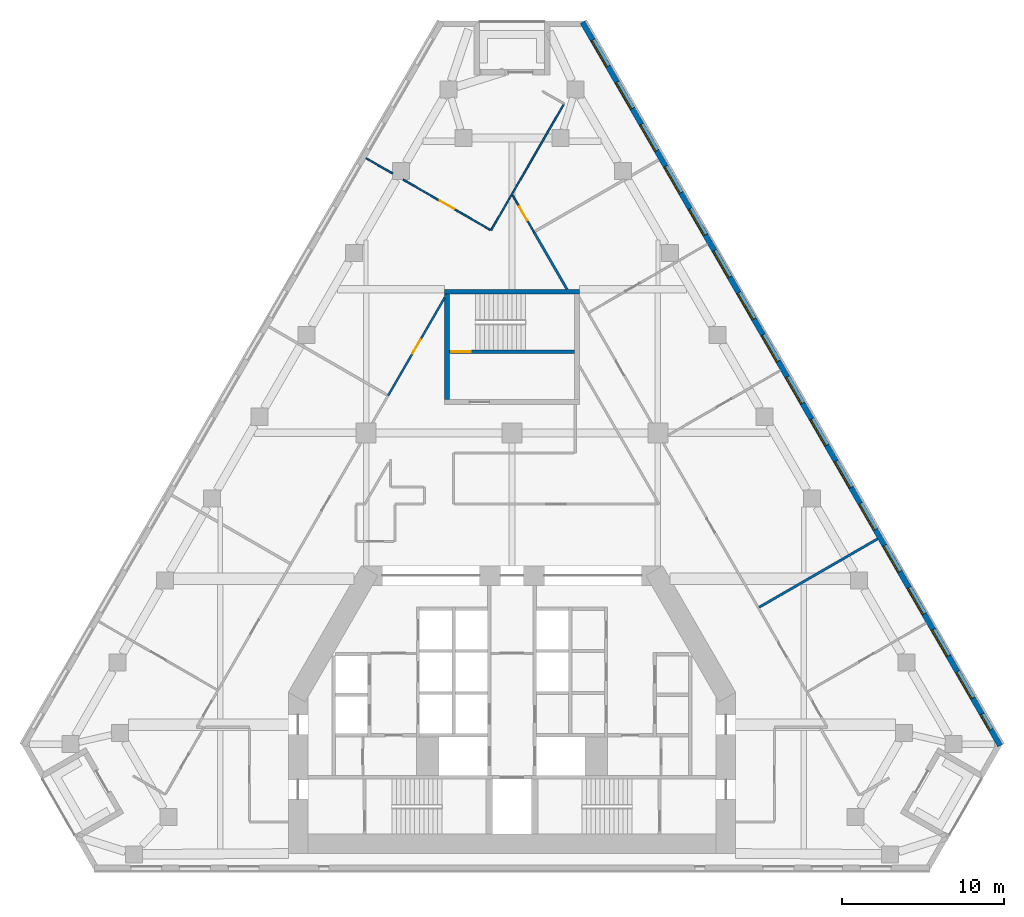
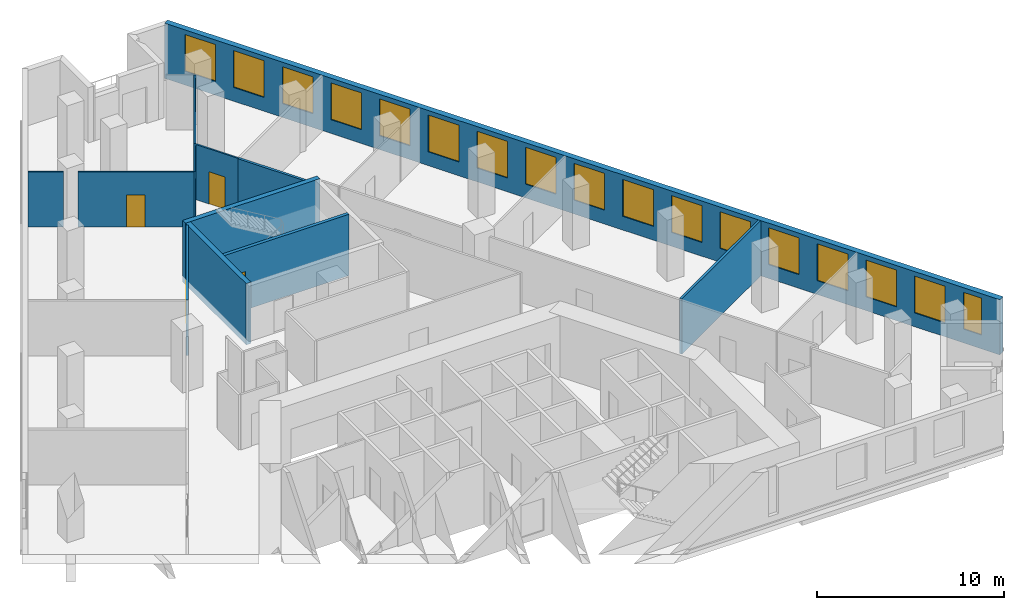
# One storey, part 8 of 10: 17 windows, 12 walls, 4 doors, 21 openings.
"""IFC4 building model written with IfcOpenShell, lengths in metres."""

from ifc_helpers import new_model, si_unit, direction, frame, frame_2d, origin, place, context, subcontext, project, spatial, rectangle, extrude, material, layer, layer_set, type_object, element, fill, save


model = new_model("IFC4")

# Units and contexts
model_context = context("Model", 3, precision=1e-05, world=origin(), true_north=direction((0.0, 1.0)))
body_context = subcontext(model_context, "Body", "Model", "MODEL_VIEW")
ifc_project = project(units=[si_unit("LENGTHUNIT", "METRE"), si_unit("AREAUNIT", "SQUARE_METRE"), si_unit("VOLUMEUNIT", "CUBIC_METRE"), si_unit("PLANEANGLEUNIT", "RADIAN"), si_unit("MASSUNIT", "GRAM", prefix="KILO")], contexts=[model_context])

# Site, building, storey
site_placement = place(None, origin())
site = spatial("IfcSite", under=ifc_project, at=site_placement, CompositionType="ELEMENT")
building_placement = place(site_placement, origin())
building = spatial("IfcBuilding", under=site, at=building_placement, Name="Fogline Exchange Tower", CompositionType="ELEMENT")
storey_placement = place(building_placement, frame((0.0, 0.0, 108.10009765625)))
storey = spatial("IfcBuildingStorey", under=building, at=storey_placement, Name="L23", CompositionType="ELEMENT", Elevation=108.10009765625)

# Wall, opening, door
ifc_material_1 = material(Name="Concrete C40", Category="concrete")
ifc_layer_1 = layer(ifc_material_1, 0.199951171875)
ifc_layer_set_1 = layer_set([ifc_layer_1], Name="CW20R")
wall_type_1 = type_object("IfcWallType", Name="CW20R", PredefinedType="SOLIDWALL", material=ifc_layer_set_1)
wall_1_placement = place(storey_placement, frame((-3.85009765625, 32.007080078125, -0.400146484375), z_axis=(0.0, 0.0, 1.0), x_axis=(1.0, 0.0, 0.0)))
wall_1 = element("IfcWall", 1, at=wall_1_placement, inside=storey, type_object=wall_type_1, Name="Stair enclosure wall ST3", PredefinedType="SOLIDWALL", context=body_context, shape_type="SweptSolid", body=[
    extrude(rectangle(XDim=7.7001953125, YDim=0.199951171875, at=frame_2d((3.85009765625, 0.0))), origin(), (0.0, 0.0, 1.0), 4.0),
])
opening_1_placement = place(wall_1_placement, frame((0.10009765625, 0.0, 0.39990234375)))
opening_1 = element("IfcOpeningElement", 2, at=opening_1_placement, cuts=wall_1, Name="Opening T07-C023", PredefinedType="OPENING", context=body_context, shape_type="SweptSolid", body=[
    extrude(rectangle(XDim=1.199951171875, YDim=2.10009765625, at=frame_2d((0.60009765625, 1.050048828125))), frame((0.0, 0.10986328125, 0.0), z_axis=(0.0, -1.0, 0.0), x_axis=(1.0, 0.0, 0.0)), (0.0, 0.0, 1.0), 0.219970703125),
])
ifc_material_2 = material(Name="Steel and timber fire door", Category="steel")
door_type_1 = type_object("IfcDoorType", Name="D-ST1", OperationType="SINGLE_SWING_LEFT", PredefinedType="DOOR", material=ifc_material_2)
door_1_placement = place(opening_1_placement, origin())
door_1 = element("IfcDoor", 3, at=door_1_placement, inside=storey, type_object=door_type_1, Name="Stair door ST3", OperationType="SINGLE_SWING_LEFT", OverallHeight=2.10009765625, OverallWidth=1.199951171875, PredefinedType="DOOR", context=body_context, shape_type="SweptSolid", body=[
    extrude(rectangle(XDim=1.199951171875, YDim=2.10009765625, at=frame_2d((0.60009765625, 1.050048828125))), frame((0.0, 0.02490234375, 0.0), z_axis=(0.0, -1.0, 0.0), x_axis=(1.0, 0.0, 0.0)), (0.0, 0.0, 1.0), 0.050048828125),
])
fill(opening_1, door_1)

# Walls
ifc_layer_2 = layer(ifc_material_1, 0.300048828125)
ifc_layer_set_2 = layer_set([ifc_layer_2], Name="CW30")
wall_type_2 = type_object("IfcWallType", Name="CW30", PredefinedType="SOLIDWALL", material=ifc_layer_set_2)
wall_2_placement = place(storey_placement, frame((-4.14990234375, 35.70703125, -0.400146484375), z_axis=(0.0, 0.0, 1.0), x_axis=(1.0, 0.0, 0.0)))
element("IfcWall", 4, at=wall_2_placement, inside=storey, type_object=wall_type_2, Name="Stair enclosure wall ST3", PredefinedType="SOLIDWALL", context=body_context, shape_type="SweptSolid", body=[
    extrude(rectangle(XDim=8.2998046875, YDim=0.300048828125, at=frame_2d((4.14990234375, 0.0))), origin(), (0.0, 0.0, 1.0), 4.0),
])
wall_3_placement = place(storey_placement, frame((-4.0, 29.056884765625, -0.400146484375), z_axis=(0.0, 0.0, 1.0), x_axis=(0.0, 1.0, 0.0)))
element("IfcWall", 5, at=wall_3_placement, inside=storey, type_object=wall_type_2, Name="Stair enclosure wall ST3", PredefinedType="SOLIDWALL", context=body_context, shape_type="SweptSolid", body=[
    extrude(rectangle(XDim=6.5, YDim=0.300048828125, at=frame_2d((3.25, 0.0))), origin(), (0.0, 0.0, 1.0), 4.0),
])

# Wall, openings, windows
ifc_material_3 = material(Name="Brick masonry", Category="masonry")
ifc_layer_3 = layer(ifc_material_3, 0.340087890625)
ifc_layer_set_3 = layer_set([ifc_layer_3], Name="FW1")
wall_type_3 = type_object("IfcWallType", Name="FW1", PredefinedType="SOLIDWALL", material=ifc_layer_set_3)
wall_4_placement = place(storey_placement, frame((30.118408203125, 7.709228515625, 0.0), z_axis=(0.0, 0.0, 1.0), x_axis=(-0.49999941333, 0.866025742498, 0.0)))
wall_4 = element("IfcWall", 6, at=wall_4_placement, inside=storey, type_object=wall_type_3, Name="Brick wall L23 E", PredefinedType="SOLIDWALL", context=body_context, shape_type="SweptSolid", body=[
    extrude(rectangle(XDim=51.53125, YDim=0.340087890625, at=frame_2d((25.765625, 0.0))), origin(), (0.0, 0.0, 1.0), 3.599853515625),
])
opening_2_placement = place(wall_4_placement, frame((3.3828125, 0.0, 0.89990234375)))
opening_2 = element("IfcOpeningElement", 7, at=opening_2_placement, cuts=wall_4, Name="Opening W1", PredefinedType="OPENING", context=body_context, shape_type="SweptSolid", body=[
    extrude(rectangle(XDim=1.885009765625, YDim=2.39990234375, at=frame_2d((0.9423828125, 1.199951171875))), frame((0.0, 0.18017578125, 0.0), z_axis=(0.0, -1.0, 0.0), x_axis=(1.0, 0.0, 0.0)), (0.0, 0.0, 1.0), 0.360107421875),
])
opening_3_placement = place(wall_4_placement, frame((6.3828125, 0.0, 0.89990234375)))
opening_3 = element("IfcOpeningElement", 8, at=opening_3_placement, cuts=wall_4, Name="Opening W1", PredefinedType="OPENING", context=body_context, shape_type="SweptSolid", body=[
    extrude(rectangle(XDim=1.885009765625, YDim=2.39990234375, at=frame_2d((0.9423828125, 1.199951171875))), frame((0.0, 0.18017578125, 0.0), z_axis=(0.0, -1.0, 0.0), x_axis=(1.0, 0.0, 0.0)), (0.0, 0.0, 1.0), 0.360107421875),
])
opening_4_placement = place(wall_4_placement, frame((9.3828125, 0.0, 0.89990234375)))
opening_4 = element("IfcOpeningElement", 9, at=opening_4_placement, cuts=wall_4, Name="Opening W1", PredefinedType="OPENING", context=body_context, shape_type="SweptSolid", body=[
    extrude(rectangle(XDim=1.885009765625, YDim=2.39990234375, at=frame_2d((0.9423828125, 1.199951171875))), frame((0.0, 0.18017578125, 0.0), z_axis=(0.0, -1.0, 0.0), x_axis=(1.0, 0.0, 0.0)), (0.0, 0.0, 1.0), 0.360107421875),
])
opening_5_placement = place(wall_4_placement, frame((12.3828125, 0.0, 0.89990234375)))
opening_5 = element("IfcOpeningElement", 10, at=opening_5_placement, cuts=wall_4, Name="Opening W1", PredefinedType="OPENING", context=body_context, shape_type="SweptSolid", body=[
    extrude(rectangle(XDim=1.885009765625, YDim=2.39990234375, at=frame_2d((0.9423828125, 1.199951171875))), frame((0.0, 0.18017578125, 0.0), z_axis=(0.0, -1.0, 0.0), x_axis=(1.0, 0.0, 0.0)), (0.0, 0.0, 1.0), 0.360107421875),
])
opening_6_placement = place(wall_4_placement, frame((15.3828125, 0.0, 0.89990234375)))
opening_6 = element("IfcOpeningElement", 11, at=opening_6_placement, cuts=wall_4, Name="Opening W1", PredefinedType="OPENING", context=body_context, shape_type="SweptSolid", body=[
    extrude(rectangle(XDim=1.885009765625, YDim=2.39990234375, at=frame_2d((0.9423828125, 1.199951171875))), frame((0.0, 0.18017578125, 0.0), z_axis=(0.0, -1.0, 0.0), x_axis=(1.0, 0.0, 0.0)), (0.0, 0.0, 1.0), 0.360107421875),
])
opening_7_placement = place(wall_4_placement, frame((18.3828125, 0.0, 0.89990234375)))
opening_7 = element("IfcOpeningElement", 12, at=opening_7_placement, cuts=wall_4, Name="Opening W1", PredefinedType="OPENING", context=body_context, shape_type="SweptSolid", body=[
    extrude(rectangle(XDim=1.885009765625, YDim=2.39990234375, at=frame_2d((0.9423828125, 1.199951171875))), frame((0.0, 0.18017578125, 0.0), z_axis=(0.0, -1.0, 0.0), x_axis=(1.0, 0.0, 0.0)), (0.0, 0.0, 1.0), 0.360107421875),
])
opening_8_placement = place(wall_4_placement, frame((21.3828125, 0.0, 0.89990234375)))
opening_8 = element("IfcOpeningElement", 13, at=opening_8_placement, cuts=wall_4, Name="Opening W1", PredefinedType="OPENING", context=body_context, shape_type="SweptSolid", body=[
    extrude(rectangle(XDim=1.885009765625, YDim=2.39990234375, at=frame_2d((0.9423828125, 1.199951171875))), frame((0.0, 0.18017578125, 0.0), z_axis=(0.0, -1.0, 0.0), x_axis=(1.0, 0.0, 0.0)), (0.0, 0.0, 1.0), 0.360107421875),
])
opening_9_placement = place(wall_4_placement, frame((24.3828125, 0.0, 0.89990234375)))
opening_9 = element("IfcOpeningElement", 14, at=opening_9_placement, cuts=wall_4, Name="Opening W1", PredefinedType="OPENING", context=body_context, shape_type="SweptSolid", body=[
    extrude(rectangle(XDim=1.885009765625, YDim=2.39990234375, at=frame_2d((0.9423828125, 1.199951171875))), frame((0.0, 0.18017578125, 0.0), z_axis=(0.0, -1.0, 0.0), x_axis=(1.0, 0.0, 0.0)), (0.0, 0.0, 1.0), 0.360107421875),
])
opening_10_placement = place(wall_4_placement, frame((27.3828125, 0.0, 0.89990234375)))
opening_10 = element("IfcOpeningElement", 15, at=opening_10_placement, cuts=wall_4, Name="Opening W1", PredefinedType="OPENING", context=body_context, shape_type="SweptSolid", body=[
    extrude(rectangle(XDim=1.885009765625, YDim=2.39990234375, at=frame_2d((0.9423828125, 1.199951171875))), frame((0.0, 0.18017578125, 0.0), z_axis=(0.0, -1.0, 0.0), x_axis=(1.0, 0.0, 0.0)), (0.0, 0.0, 1.0), 0.360107421875),
])
opening_11_placement = place(wall_4_placement, frame((30.3828125, 0.0, 0.89990234375)))
opening_11 = element("IfcOpeningElement", 16, at=opening_11_placement, cuts=wall_4, Name="Opening W1", PredefinedType="OPENING", context=body_context, shape_type="SweptSolid", body=[
    extrude(rectangle(XDim=1.885009765625, YDim=2.39990234375, at=frame_2d((0.9423828125, 1.199951171875))), frame((0.0, 0.18017578125, 0.0), z_axis=(0.0, -1.0, 0.0), x_axis=(1.0, 0.0, 0.0)), (0.0, 0.0, 1.0), 0.360107421875),
])
opening_12_placement = place(wall_4_placement, frame((33.3828125, 0.0, 0.89990234375)))
opening_12 = element("IfcOpeningElement", 17, at=opening_12_placement, cuts=wall_4, Name="Opening W1", PredefinedType="OPENING", context=body_context, shape_type="SweptSolid", body=[
    extrude(rectangle(XDim=1.885009765625, YDim=2.39990234375, at=frame_2d((0.9423828125, 1.199951171875))), frame((0.0, 0.18017578125, 0.0), z_axis=(0.0, -1.0, 0.0), x_axis=(1.0, 0.0, 0.0)), (0.0, 0.0, 1.0), 0.360107421875),
])
opening_13_placement = place(wall_4_placement, frame((36.3828125, 0.0, 0.89990234375)))
opening_13 = element("IfcOpeningElement", 18, at=opening_13_placement, cuts=wall_4, Name="Opening W1", PredefinedType="OPENING", context=body_context, shape_type="SweptSolid", body=[
    extrude(rectangle(XDim=1.885009765625, YDim=2.39990234375, at=frame_2d((0.9423828125, 1.199951171875))), frame((0.0, 0.18017578125, 0.0), z_axis=(0.0, -1.0, 0.0), x_axis=(1.0, 0.0, 0.0)), (0.0, 0.0, 1.0), 0.360107421875),
])
opening_14_placement = place(wall_4_placement, frame((39.3828125, 0.0, 0.89990234375)))
opening_14 = element("IfcOpeningElement", 19, at=opening_14_placement, cuts=wall_4, Name="Opening W1", PredefinedType="OPENING", context=body_context, shape_type="SweptSolid", body=[
    extrude(rectangle(XDim=1.885009765625, YDim=2.39990234375, at=frame_2d((0.9423828125, 1.199951171875))), frame((0.0, 0.18017578125, 0.0), z_axis=(0.0, -1.0, 0.0), x_axis=(1.0, 0.0, 0.0)), (0.0, 0.0, 1.0), 0.360107421875),
])
opening_15_placement = place(wall_4_placement, frame((42.3828125, 0.0, 0.89990234375)))
opening_15 = element("IfcOpeningElement", 20, at=opening_15_placement, cuts=wall_4, Name="Opening W1", PredefinedType="OPENING", context=body_context, shape_type="SweptSolid", body=[
    extrude(rectangle(XDim=1.885009765625, YDim=2.39990234375, at=frame_2d((0.9423828125, 1.199951171875))), frame((0.0, 0.18017578125, 0.0), z_axis=(0.0, -1.0, 0.0), x_axis=(1.0, 0.0, 0.0)), (0.0, 0.0, 1.0), 0.360107421875),
])
opening_16_placement = place(wall_4_placement, frame((45.3828125, 0.0, 0.89990234375)))
opening_16 = element("IfcOpeningElement", 21, at=opening_16_placement, cuts=wall_4, Name="Opening W1", PredefinedType="OPENING", context=body_context, shape_type="SweptSolid", body=[
    extrude(rectangle(XDim=1.885009765625, YDim=2.39990234375, at=frame_2d((0.9423828125, 1.199951171875))), frame((0.0, 0.18017578125, 0.0), z_axis=(0.0, -1.0, 0.0), x_axis=(1.0, 0.0, 0.0)), (0.0, 0.0, 1.0), 0.360107421875),
])
opening_17_placement = place(wall_4_placement, frame((48.3828125, 0.0, 0.89990234375)))
opening_17 = element("IfcOpeningElement", 22, at=opening_17_placement, cuts=wall_4, Name="Opening W1", PredefinedType="OPENING", context=body_context, shape_type="SweptSolid", body=[
    extrude(rectangle(XDim=1.885009765625, YDim=2.39990234375, at=frame_2d((0.9423828125, 1.199951171875))), frame((0.0, 0.18017578125, 0.0), z_axis=(0.0, -1.0, 0.0), x_axis=(1.0, 0.0, 0.0)), (0.0, 0.0, 1.0), 0.360107421875),
])
opening_18_placement = place(wall_4_placement, frame((1.1337890625, 0.0, 0.89990234375)))
opening_18 = element("IfcOpeningElement", 23, at=opening_18_placement, cuts=wall_4, Name="Opening W4", PredefinedType="OPENING", context=body_context, shape_type="SweptSolid", body=[
    extrude(rectangle(XDim=1.114990234375, YDim=2.39990234375, at=frame_2d((0.5576171875, 1.199951171875))), frame((0.0, 0.18017578125, 0.0), z_axis=(0.0, -1.0, 0.0), x_axis=(1.0, 0.0, 0.0)), (0.0, 0.0, 1.0), 0.360107421875),
])
ifc_material_4 = material(Name="Aluminium and glass", Category="aluminium")
window_type_1 = type_object("IfcWindowType", Name="W1", PartitioningType="SINGLE_PANEL", PredefinedType="WINDOW", material=ifc_material_4)
window_1_placement = place(opening_2_placement, origin())
window_1 = element("IfcWindow", 24, at=window_1_placement, inside=storey, type_object=window_type_1, Name="W1 W1", OverallHeight=2.39990234375, OverallWidth=1.885009765625, PartitioningType="SINGLE_PANEL", PredefinedType="WINDOW", context=body_context, shape_type="SweptSolid", body=[
    extrude(rectangle(XDim=1.885009765625, YDim=2.39990234375, at=frame_2d((0.9423828125, 1.199951171875))), frame((0.0, 0.110107421875, 0.0), z_axis=(0.0, -1.0, 0.0), x_axis=(1.0, 0.0, 0.0)), (0.0, 0.0, 1.0), 0.06005859375),
])
fill(opening_2, window_1)
window_2_placement = place(opening_3_placement, origin())
window_2 = element("IfcWindow", 25, at=window_2_placement, inside=storey, type_object=window_type_1, Name="W1 W1", OverallHeight=2.39990234375, OverallWidth=1.885009765625, PartitioningType="SINGLE_PANEL", PredefinedType="WINDOW", context=body_context, shape_type="SweptSolid", body=[
    extrude(rectangle(XDim=1.885009765625, YDim=2.39990234375, at=frame_2d((0.9423828125, 1.199951171875))), frame((0.0, 0.110107421875, 0.0), z_axis=(0.0, -1.0, 0.0), x_axis=(1.0, 0.0, 0.0)), (0.0, 0.0, 1.0), 0.06005859375),
])
fill(opening_3, window_2)
window_3_placement = place(opening_4_placement, origin())
window_3 = element("IfcWindow", 26, at=window_3_placement, inside=storey, type_object=window_type_1, Name="W1 W1", OverallHeight=2.39990234375, OverallWidth=1.885009765625, PartitioningType="SINGLE_PANEL", PredefinedType="WINDOW", context=body_context, shape_type="SweptSolid", body=[
    extrude(rectangle(XDim=1.885009765625, YDim=2.39990234375, at=frame_2d((0.9423828125, 1.199951171875))), frame((0.0, 0.110107421875, 0.0), z_axis=(0.0, -1.0, 0.0), x_axis=(1.0, 0.0, 0.0)), (0.0, 0.0, 1.0), 0.06005859375),
])
fill(opening_4, window_3)
window_4_placement = place(opening_5_placement, origin())
window_4 = element("IfcWindow", 27, at=window_4_placement, inside=storey, type_object=window_type_1, Name="W1 W1", OverallHeight=2.39990234375, OverallWidth=1.885009765625, PartitioningType="SINGLE_PANEL", PredefinedType="WINDOW", context=body_context, shape_type="SweptSolid", body=[
    extrude(rectangle(XDim=1.885009765625, YDim=2.39990234375, at=frame_2d((0.9423828125, 1.199951171875))), frame((0.0, 0.110107421875, 0.0), z_axis=(0.0, -1.0, 0.0), x_axis=(1.0, 0.0, 0.0)), (0.0, 0.0, 1.0), 0.06005859375),
])
fill(opening_5, window_4)
window_5_placement = place(opening_6_placement, origin())
window_5 = element("IfcWindow", 28, at=window_5_placement, inside=storey, type_object=window_type_1, Name="W1 W1", OverallHeight=2.39990234375, OverallWidth=1.885009765625, PartitioningType="SINGLE_PANEL", PredefinedType="WINDOW", context=body_context, shape_type="SweptSolid", body=[
    extrude(rectangle(XDim=1.885009765625, YDim=2.39990234375, at=frame_2d((0.9423828125, 1.199951171875))), frame((0.0, 0.110107421875, 0.0), z_axis=(0.0, -1.0, 0.0), x_axis=(1.0, 0.0, 0.0)), (0.0, 0.0, 1.0), 0.06005859375),
])
fill(opening_6, window_5)
window_6_placement = place(opening_7_placement, origin())
window_6 = element("IfcWindow", 29, at=window_6_placement, inside=storey, type_object=window_type_1, Name="W1 W1", OverallHeight=2.39990234375, OverallWidth=1.885009765625, PartitioningType="SINGLE_PANEL", PredefinedType="WINDOW", context=body_context, shape_type="SweptSolid", body=[
    extrude(rectangle(XDim=1.885009765625, YDim=2.39990234375, at=frame_2d((0.9423828125, 1.199951171875))), frame((0.0, 0.110107421875, 0.0), z_axis=(0.0, -1.0, 0.0), x_axis=(1.0, 0.0, 0.0)), (0.0, 0.0, 1.0), 0.06005859375),
])
fill(opening_7, window_6)
window_7_placement = place(opening_8_placement, origin())
window_7 = element("IfcWindow", 30, at=window_7_placement, inside=storey, type_object=window_type_1, Name="W1 W1", OverallHeight=2.39990234375, OverallWidth=1.885009765625, PartitioningType="SINGLE_PANEL", PredefinedType="WINDOW", context=body_context, shape_type="SweptSolid", body=[
    extrude(rectangle(XDim=1.885009765625, YDim=2.39990234375, at=frame_2d((0.9423828125, 1.199951171875))), frame((0.0, 0.110107421875, 0.0), z_axis=(0.0, -1.0, 0.0), x_axis=(1.0, 0.0, 0.0)), (0.0, 0.0, 1.0), 0.06005859375),
])
fill(opening_8, window_7)
window_8_placement = place(opening_9_placement, origin())
window_8 = element("IfcWindow", 31, at=window_8_placement, inside=storey, type_object=window_type_1, Name="W1 W1", OverallHeight=2.39990234375, OverallWidth=1.885009765625, PartitioningType="SINGLE_PANEL", PredefinedType="WINDOW", context=body_context, shape_type="SweptSolid", body=[
    extrude(rectangle(XDim=1.885009765625, YDim=2.39990234375, at=frame_2d((0.9423828125, 1.199951171875))), frame((0.0, 0.110107421875, 0.0), z_axis=(0.0, -1.0, 0.0), x_axis=(1.0, 0.0, 0.0)), (0.0, 0.0, 1.0), 0.06005859375),
])
fill(opening_9, window_8)
window_9_placement = place(opening_10_placement, origin())
window_9 = element("IfcWindow", 32, at=window_9_placement, inside=storey, type_object=window_type_1, Name="W1 W1", OverallHeight=2.39990234375, OverallWidth=1.885009765625, PartitioningType="SINGLE_PANEL", PredefinedType="WINDOW", context=body_context, shape_type="SweptSolid", body=[
    extrude(rectangle(XDim=1.885009765625, YDim=2.39990234375, at=frame_2d((0.9423828125, 1.199951171875))), frame((0.0, 0.110107421875, 0.0), z_axis=(0.0, -1.0, 0.0), x_axis=(1.0, 0.0, 0.0)), (0.0, 0.0, 1.0), 0.06005859375),
])
fill(opening_10, window_9)
window_10_placement = place(opening_11_placement, origin())
window_10 = element("IfcWindow", 33, at=window_10_placement, inside=storey, type_object=window_type_1, Name="W1 W1", OverallHeight=2.39990234375, OverallWidth=1.885009765625, PartitioningType="SINGLE_PANEL", PredefinedType="WINDOW", context=body_context, shape_type="SweptSolid", body=[
    extrude(rectangle(XDim=1.885009765625, YDim=2.39990234375, at=frame_2d((0.9423828125, 1.199951171875))), frame((0.0, 0.110107421875, 0.0), z_axis=(0.0, -1.0, 0.0), x_axis=(1.0, 0.0, 0.0)), (0.0, 0.0, 1.0), 0.06005859375),
])
fill(opening_11, window_10)
window_11_placement = place(opening_12_placement, origin())
window_11 = element("IfcWindow", 34, at=window_11_placement, inside=storey, type_object=window_type_1, Name="W1 W1", OverallHeight=2.39990234375, OverallWidth=1.885009765625, PartitioningType="SINGLE_PANEL", PredefinedType="WINDOW", context=body_context, shape_type="SweptSolid", body=[
    extrude(rectangle(XDim=1.885009765625, YDim=2.39990234375, at=frame_2d((0.9423828125, 1.199951171875))), frame((0.0, 0.110107421875, 0.0), z_axis=(0.0, -1.0, 0.0), x_axis=(1.0, 0.0, 0.0)), (0.0, 0.0, 1.0), 0.06005859375),
])
fill(opening_12, window_11)
window_12_placement = place(opening_13_placement, origin())
window_12 = element("IfcWindow", 35, at=window_12_placement, inside=storey, type_object=window_type_1, Name="W1 W1", OverallHeight=2.39990234375, OverallWidth=1.885009765625, PartitioningType="SINGLE_PANEL", PredefinedType="WINDOW", context=body_context, shape_type="SweptSolid", body=[
    extrude(rectangle(XDim=1.885009765625, YDim=2.39990234375, at=frame_2d((0.9423828125, 1.199951171875))), frame((0.0, 0.110107421875, 0.0), z_axis=(0.0, -1.0, 0.0), x_axis=(1.0, 0.0, 0.0)), (0.0, 0.0, 1.0), 0.06005859375),
])
fill(opening_13, window_12)
window_13_placement = place(opening_14_placement, origin())
window_13 = element("IfcWindow", 36, at=window_13_placement, inside=storey, type_object=window_type_1, Name="W1 W1", OverallHeight=2.39990234375, OverallWidth=1.885009765625, PartitioningType="SINGLE_PANEL", PredefinedType="WINDOW", context=body_context, shape_type="SweptSolid", body=[
    extrude(rectangle(XDim=1.885009765625, YDim=2.39990234375, at=frame_2d((0.9423828125, 1.199951171875))), frame((0.0, 0.110107421875, 0.0), z_axis=(0.0, -1.0, 0.0), x_axis=(1.0, 0.0, 0.0)), (0.0, 0.0, 1.0), 0.06005859375),
])
fill(opening_14, window_13)
window_14_placement = place(opening_15_placement, origin())
window_14 = element("IfcWindow", 37, at=window_14_placement, inside=storey, type_object=window_type_1, Name="W1 W1", OverallHeight=2.39990234375, OverallWidth=1.885009765625, PartitioningType="SINGLE_PANEL", PredefinedType="WINDOW", context=body_context, shape_type="SweptSolid", body=[
    extrude(rectangle(XDim=1.885009765625, YDim=2.39990234375, at=frame_2d((0.9423828125, 1.199951171875))), frame((0.0, 0.110107421875, 0.0), z_axis=(0.0, -1.0, 0.0), x_axis=(1.0, 0.0, 0.0)), (0.0, 0.0, 1.0), 0.06005859375),
])
fill(opening_15, window_14)
window_15_placement = place(opening_16_placement, origin())
window_15 = element("IfcWindow", 38, at=window_15_placement, inside=storey, type_object=window_type_1, Name="W1 W1", OverallHeight=2.39990234375, OverallWidth=1.885009765625, PartitioningType="SINGLE_PANEL", PredefinedType="WINDOW", context=body_context, shape_type="SweptSolid", body=[
    extrude(rectangle(XDim=1.885009765625, YDim=2.39990234375, at=frame_2d((0.9423828125, 1.199951171875))), frame((0.0, 0.110107421875, 0.0), z_axis=(0.0, -1.0, 0.0), x_axis=(1.0, 0.0, 0.0)), (0.0, 0.0, 1.0), 0.06005859375),
])
fill(opening_16, window_15)
window_16_placement = place(opening_17_placement, origin())
window_16 = element("IfcWindow", 39, at=window_16_placement, inside=storey, type_object=window_type_1, Name="W1 W1", OverallHeight=2.39990234375, OverallWidth=1.885009765625, PartitioningType="SINGLE_PANEL", PredefinedType="WINDOW", context=body_context, shape_type="SweptSolid", body=[
    extrude(rectangle(XDim=1.885009765625, YDim=2.39990234375, at=frame_2d((0.9423828125, 1.199951171875))), frame((0.0, 0.110107421875, 0.0), z_axis=(0.0, -1.0, 0.0), x_axis=(1.0, 0.0, 0.0)), (0.0, 0.0, 1.0), 0.06005859375),
])
fill(opening_17, window_16)
window_type_2 = type_object("IfcWindowType", Name="W4", PartitioningType="SINGLE_PANEL", PredefinedType="WINDOW", material=ifc_material_4)
window_17_placement = place(opening_18_placement, origin())
window_17 = element("IfcWindow", 40, at=window_17_placement, inside=storey, type_object=window_type_2, Name="W4 W4", OverallHeight=2.39990234375, OverallWidth=1.114990234375, PartitioningType="SINGLE_PANEL", PredefinedType="WINDOW", context=body_context, shape_type="SweptSolid", body=[
    extrude(rectangle(XDim=1.114990234375, YDim=2.39990234375, at=frame_2d((0.5576171875, 1.199951171875))), frame((0.0, 0.110107421875, 0.0), z_axis=(0.0, -1.0, 0.0), x_axis=(1.0, 0.0, 0.0)), (0.0, 0.0, 1.0), 0.06005859375),
])
fill(opening_18, window_17)

# Wall
ifc_material_5 = material(Name="Plasterboard partition, 2 layers each side on steel studs", Category="steel")
ifc_layer_4 = layer(ifc_material_5, 0.10009765625)
ifc_layer_set_4 = layer_set([ifc_layer_4], Name="PW1")
wall_type_4 = type_object("IfcWallType", Name="PW1", PredefinedType="PARTITIONING", material=ifc_layer_set_4)
wall_5_placement = place(storey_placement, frame((0.0, 41.73583984375, 0.0), z_axis=(0.0, 0.0, 1.0), x_axis=(0.499999599858, 0.866025634807, 0.0)))
element("IfcWall", 41, at=wall_5_placement, inside=storey, type_object=wall_type_4, Name="wall-L23-W040", PredefinedType="PARTITIONING", context=body_context, shape_type="SweptSolid", body=[
    extrude(rectangle(XDim=6.3798828125, YDim=0.10009765625, at=frame_2d((3.18994140625, 0.0))), origin(), (0.0, 0.0, 1.0), 3.599853515625),
])

# Wall, opening, door
wall_6_placement = place(storey_placement, frame((1.350830078125, 39.39599609375, 0.0), z_axis=(0.0, 0.0, 1.0), x_axis=(-0.500005339912, 0.866022320763, 0.0)))
wall_6 = element("IfcWall", 42, at=wall_6_placement, inside=storey, type_object=wall_type_4, Name="wall-L23-W042", PredefinedType="PARTITIONING", context=body_context, shape_type="SweptSolid", body=[
    extrude(rectangle(XDim=2.61474609375, YDim=0.10009765625, at=frame_2d((1.307373046875, 0.0))), origin(), (0.0, 0.0, 1.0), 3.599853515625),
])
opening_19_placement = place(wall_6_placement, frame((0.807373046875, 0.0, 0.0)))
opening_19 = element("IfcOpeningElement", 43, at=opening_19_placement, cuts=wall_6, Name="Opening T07-D015", PredefinedType="OPENING", context=body_context, shape_type="SweptSolid", body=[
    extrude(rectangle(XDim=1.0, YDim=2.10009765625, at=frame_2d((0.5, 1.050048828125))), frame((0.0, 0.06005859375, 0.0), z_axis=(0.0, -1.0, 0.0), x_axis=(1.0, 0.0, 0.0)), (0.0, 0.0, 1.0), 0.1201171875),
])
ifc_material_6 = material(Name="Timber door leaf with steel frame", Category="steel")
door_type_2 = type_object("IfcDoorType", Name="D1", OperationType="SINGLE_SWING_LEFT", PredefinedType="DOOR", material=ifc_material_6)
door_2_placement = place(opening_19_placement, frame((1.0, 0.0, 0.0), z_axis=(0.0, 0.0, 1.0), x_axis=(-1.0, 0.0, 0.0)))
door_2 = element("IfcDoor", 44, at=door_2_placement, inside=storey, type_object=door_type_2, Name="door-L23-D015", OperationType="SINGLE_SWING_LEFT", OverallHeight=2.10009765625, OverallWidth=1.0, PredefinedType="DOOR", context=body_context, shape_type="SweptSolid", body=[
    extrude(rectangle(XDim=1.0, YDim=2.10009765625, at=frame_2d((0.5, 1.050048828125))), frame((0.0, 0.02490234375, 0.0), z_axis=(0.0, -1.0, 0.0), x_axis=(1.0, 0.0, 0.0)), (0.0, 0.0, 1.0), 0.050048828125),
])
fill(opening_19, door_2)

# Wall
wall_7_placement = place(storey_placement, frame((0.0, 41.73583984375, 0.0), z_axis=(0.0, 0.0, 1.0), x_axis=(-0.50001655835, -0.866015843605, 0.0)))
element("IfcWall", 45, at=wall_7_placement, inside=storey, type_object=wall_type_4, Name="wall-L23-W043", PredefinedType="PARTITIONING", context=body_context, shape_type="SweptSolid", body=[
    extrude(rectangle(XDim=2.5869140625, YDim=0.10009765625, at=frame_2d((1.29345703125, 0.0))), origin(), (0.0, 0.0, 1.0), 3.599853515625),
])

# Wall, opening, door
wall_8_placement = place(storey_placement, frame((-1.336669921875, 39.5205078125, 0.0), z_axis=(0.0, 0.0, 1.0), x_axis=(-0.866017753424, 0.500013250579, 0.0)))
wall_8 = element("IfcWall", 46, at=wall_8_placement, inside=storey, type_object=wall_type_4, Name="wall-L23-W044", PredefinedType="PARTITIONING", context=body_context, shape_type="SweptSolid", body=[
    extrude(rectangle(XDim=6.201416015625, YDim=0.10009765625, at=frame_2d((3.1005859375, 0.0))), origin(), (0.0, 0.0, 1.0), 3.599853515625),
])
opening_20_placement = place(wall_8_placement, frame((2.6005859375, 0.0, 0.0)))
opening_20 = element("IfcOpeningElement", 47, at=opening_20_placement, cuts=wall_8, Name="Opening T07-D016", PredefinedType="OPENING", context=body_context, shape_type="SweptSolid", body=[
    extrude(rectangle(XDim=1.0, YDim=2.10009765625, at=frame_2d((0.5, 1.050048828125))), frame((0.0, 0.06005859375, 0.0), z_axis=(0.0, -1.0, 0.0), x_axis=(1.0, 0.0, 0.0)), (0.0, 0.0, 1.0), 0.1201171875),
])
door_3_placement = place(opening_20_placement, frame((1.0, 0.0, 0.0), z_axis=(0.0, 0.0, 1.0), x_axis=(-1.0, 0.0, 0.0)))
door_3 = element("IfcDoor", 48, at=door_3_placement, inside=storey, type_object=door_type_2, Name="door-L23-D016", OperationType="SINGLE_SWING_RIGHT", OverallHeight=2.10009765625, OverallWidth=1.0, PredefinedType="DOOR", context=body_context, shape_type="SweptSolid", body=[
    extrude(rectangle(XDim=1.0, YDim=2.10009765625, at=frame_2d((0.5, 1.050048828125))), frame((0.0, 0.02490234375, 0.0), z_axis=(0.0, -1.0, 0.0), x_axis=(1.0, 0.0, 0.0)), (0.0, 0.0, 1.0), 0.050048828125),
])
fill(opening_20, door_3)

# Wall
wall_9_placement = place(storey_placement, frame((-7.36328125, 43.000244140625, 0.0), z_axis=(0.0, 0.0, 1.0), x_axis=(-0.866073792734, 0.499916178513, 0.0)))
element("IfcWall", 49, at=wall_9_placement, inside=storey, type_object=wall_type_4, Name="wall-L23-W045", PredefinedType="PARTITIONING", context=body_context, shape_type="SweptSolid", body=[
    extrude(rectangle(XDim=1.890869140625, YDim=0.10009765625, at=frame_2d((0.9453125, 0.0))), origin(), (0.0, 0.0, 1.0), 3.599853515625),
])

# Wall, opening, door
ifc_material_7 = material(Name="Plasterboard corridor partition with mineral wool, 2 layers each side")
ifc_layer_5 = layer(ifc_material_7, 0.125)
ifc_layer_set_5 = layer_set([ifc_layer_5], Name="PW2")
wall_type_5 = type_object("IfcWallType", Name="PW2", PredefinedType="PARTITIONING", material=ifc_layer_set_5)
wall_10_placement = place(storey_placement, frame((-7.639892578125, 29.30322265625, 0.0), z_axis=(0.0, 0.0, 1.0), x_axis=(0.500010091595, 0.866019577321, 0.0)))
wall_10 = element("IfcWall", 50, at=wall_10_placement, inside=storey, type_object=wall_type_5, Name="wall-L23-W010", PredefinedType="PARTITIONING", context=body_context, shape_type="SweptSolid", body=[
    extrude(rectangle(XDim=6.979736328125, YDim=0.125, at=frame_2d((3.48974609375, 0.0))), origin(), (0.0, 0.0, 1.0), 3.599853515625),
])
opening_21_placement = place(wall_10_placement, frame((2.98974609375, 0.0, 0.0)))
opening_21 = element("IfcOpeningElement", 51, at=opening_21_placement, cuts=wall_10, Name="Opening T07-D005", PredefinedType="OPENING", context=body_context, shape_type="SweptSolid", body=[
    extrude(rectangle(XDim=1.0, YDim=2.10009765625, at=frame_2d((0.5, 1.050048828125))), frame((0.0, 0.072509765625, 0.0), z_axis=(0.0, -1.0, 0.0), x_axis=(1.0, 0.0, 0.0)), (0.0, 0.0, 1.0), 0.14501953125),
])
ifc_material_8 = material(Name="Fire-rated timber door leaf with steel frame", Category="steel")
door_type_3 = type_object("IfcDoorType", Name="D3", OperationType="SINGLE_SWING_LEFT", PredefinedType="DOOR", material=ifc_material_8)
door_4_placement = place(opening_21_placement, origin())
door_4 = element("IfcDoor", 52, at=door_4_placement, inside=storey, type_object=door_type_3, Name="door-L23-D005", OperationType="SINGLE_SWING_LEFT", OverallHeight=2.10009765625, OverallWidth=1.0, PredefinedType="DOOR", context=body_context, shape_type="SweptSolid", body=[
    extrude(rectangle(XDim=1.0, YDim=2.10009765625, at=frame_2d((0.5, 1.050048828125))), frame((0.0, 0.02490234375, 0.0), z_axis=(0.0, -1.0, 0.0), x_axis=(1.0, 0.0, 0.0)), (0.0, 0.0, 1.0), 0.050048828125),
])
fill(opening_21, door_4)

# Walls
ifc_material_9 = material(Name="Plasterboard demising partition with mineral wool and acoustic board")
ifc_layer_6 = layer(ifc_material_9, 0.14990234375)
ifc_layer_set_6 = layer_set([ifc_layer_6], Name="PW3")
wall_type_6 = type_object("IfcWallType", Name="PW3", PredefinedType="PARTITIONING", material=ifc_layer_set_6)
wall_11_placement = place(storey_placement, frame((22.55859375, 20.46337890625, 0.0), z_axis=(0.0, 0.0, 1.0), x_axis=(-0.866026575979, -0.499997969693, 0.0)))
element("IfcWall", 53, at=wall_11_placement, inside=storey, type_object=wall_type_6, Name="wall-L23-W034", PredefinedType="PARTITIONING", context=body_context, shape_type="SweptSolid", body=[
    extrude(rectangle(XDim=8.4375, YDim=0.14990234375, at=frame_2d((4.21875, 0.0))), origin(), (0.0, 0.0, 1.0), 3.599853515625),
])
wall_12_placement = place(storey_placement, frame((3.394287109375, 35.85693359375, 0.0), z_axis=(0.0, 0.0, 1.0), x_axis=(-0.500032730183, 0.86600650618, 0.0)))
element("IfcWall", 54, at=wall_12_placement, inside=storey, type_object=wall_type_6, Name="wall-L23-W039", PredefinedType="PARTITIONING", context=body_context, shape_type="SweptSolid", body=[
    extrude(rectangle(XDim=4.086669921875, YDim=0.14990234375, at=frame_2d((2.04345703125, 0.0))), origin(), (0.0, 0.0, 1.0), 3.599853515625),
])

save(model, "model.ifc")
